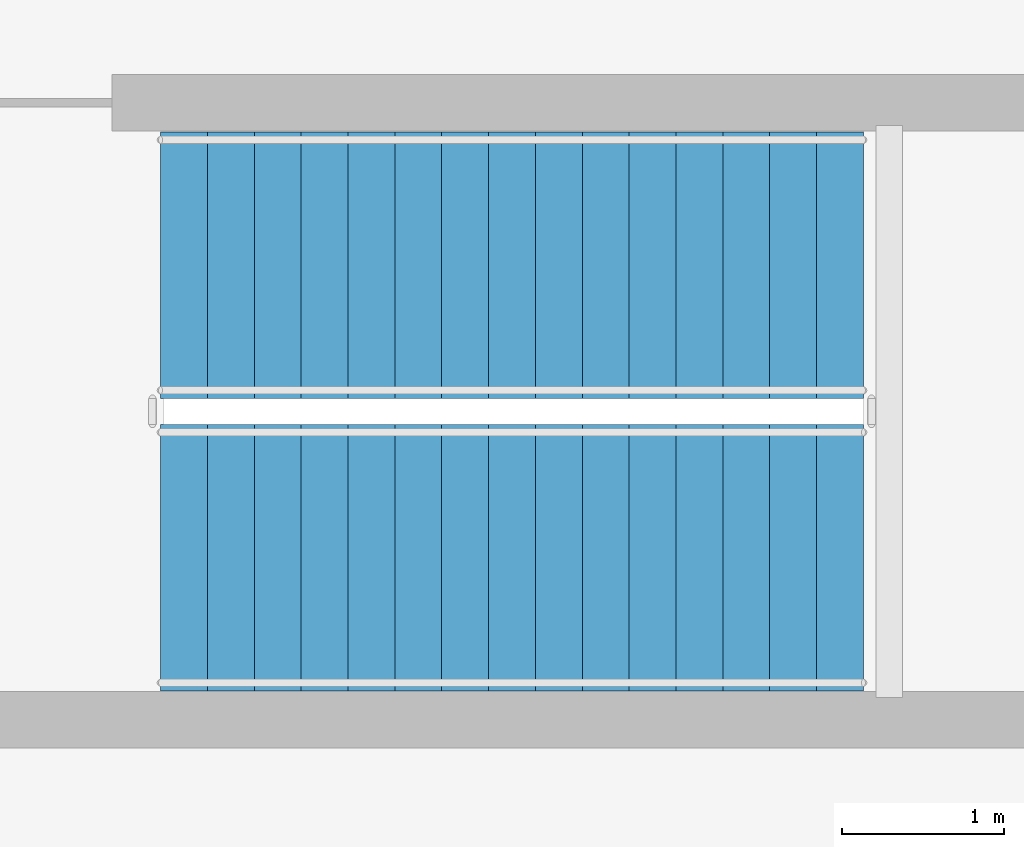
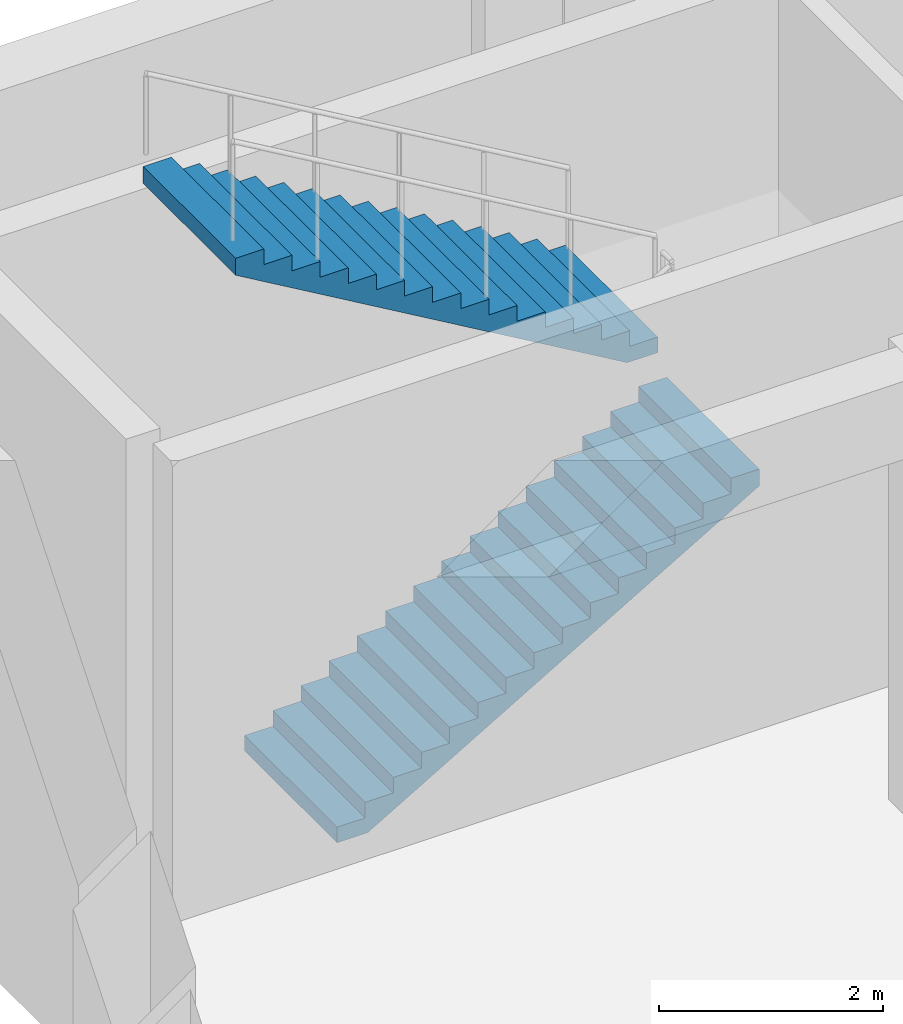
# One storey, part 10 of 16: 2 stair flights, 1 element without a shape of its own.
"""IFC4 building model written with IfcOpenShell, lengths in metres."""

import ifcopenshell
import ifcopenshell.guid

model = None  # the IFC model being written
_history = None  # IfcOwnerHistory: only IFC2X3 demands one
_inside = {}  # id of a spatial element -> (the spatial element, [elements in it])
_under = {}  # id of a project, library or spatial element -> (it, [spatial elements below it])
_declared = {}  # id of a project -> (the project, [libraries it declares])
_typed = {}  # id of a type object -> (the type object, [elements of that type])
_made_of = {}  # id of a material, layer set ... -> (it, [elements and type objects made of it])


def new_model(schema):
    """Start an empty IFC model of exactly this schema.

    Asked for "IFC4X3", IfcOpenShell would pick the latest addendum, in which some entities
    have other attributes; the version numbers below select the first issue.
    IFC2X3 requires an IfcOwnerHistory on every rooted entity: one is made here for all.
    """
    global model, _history
    if schema == "IFC4X3":
        model = ifcopenshell.file(schema_version=(4, 3, 0, 0))
    else:
        model = ifcopenshell.file(schema=schema)
    _inside.clear()
    _under.clear()
    _declared.clear()
    _typed.clear()
    _made_of.clear()
    _history = None
    if model.schema == "IFC2X3":
        org = make("IfcOrganization", Name="unknown")
        user = make(
            "IfcPersonAndOrganization",
            ThePerson=make("IfcPerson", FamilyName="unknown"),
            TheOrganization=org,
        )
        app = make(
            "IfcApplication",
            ApplicationDeveloper=org,
            Version="unknown",
            ApplicationFullName="unknown",
            ApplicationIdentifier="unknown",
        )
        _history = make(
            "IfcOwnerHistory",
            OwningUser=user,
            OwningApplication=app,
            ChangeAction="ADDED",
            CreationDate=0,
        )
    return model


def make(cls, **values):
    """One entity of the class cls with the attributes given. An attribute that is None is left unset."""
    return model.create_entity(
        cls, **{name: value for name, value in values.items() if value is not None}
    )


def rooted(cls, **values):
    """An entity with a GlobalId (a new one), such as an element, a storey or a relation."""
    return make(cls, GlobalId=ifcopenshell.guid.new(), OwnerHistory=_history, **values)


def si_unit(unit_type, name, prefix=None):
    """IfcSIUnit, for example si_unit("LENGTHUNIT", "METRE", prefix="MILLI")."""
    return make("IfcSIUnit", UnitType=unit_type, Prefix=prefix, Name=name)


def assignment(units):
    """IfcUnitAssignment: the units of a project."""
    return None if units is None else make("IfcUnitAssignment", Units=units)


def point(xyz):
    """IfcCartesianPoint."""
    return None if xyz is None else make("IfcCartesianPoint", Coordinates=xyz)


def direction(xyz):
    """IfcDirection."""
    return None if xyz is None else make("IfcDirection", DirectionRatios=xyz)


def frame(location, z_axis=None, x_axis=None):
    """IfcAxis2Placement3D, a coordinate frame: its origin and axes. An axis left out is left unset."""
    return make(
        "IfcAxis2Placement3D",
        Location=point(location),
        Axis=direction(z_axis),
        RefDirection=direction(x_axis),
    )


def origin():
    """The frame at (0, 0, 0) with its axes left unset."""
    return frame((0.0, 0.0, 0.0))


def place(relative_to, where):
    """IfcLocalPlacement: puts the frame where relative to a parent placement (None: the world)."""
    return make(
        "IfcLocalPlacement", PlacementRelTo=relative_to, RelativePlacement=where
    )


def context(
    kind, dimensions, precision=None, world=None, true_north=None, identifier=None
):
    """IfcGeometricRepresentationContext, for example the 3D "Model" context."""
    return make(
        "IfcGeometricRepresentationContext",
        ContextIdentifier=identifier,
        ContextType=kind,
        CoordinateSpaceDimension=dimensions,
        Precision=precision,
        WorldCoordinateSystem=world,
        TrueNorth=true_north,
    )


def subcontext(parent, identifier, kind, view, scale=None):
    """IfcGeometricRepresentationSubContext, for example "Body" below "Model"."""
    return make(
        "IfcGeometricRepresentationSubContext",
        ContextIdentifier=identifier,
        ContextType=kind,
        ParentContext=parent,
        TargetScale=scale,
        TargetView=view,
    )


def project(units=None, contexts=None):
    """IfcProject with its units and contexts."""
    return rooted(
        "IfcProject",
        Name="project",
        RepresentationContexts=contexts,
        UnitsInContext=assignment(units),
    )


def spatial(cls, under=None, at=None, **own):
    """A site, building, storey or space (cls), placed at a placement, below another one or the project."""
    s = rooted(cls, ObjectPlacement=at, **own)
    if under is not None:
        _under.setdefault(under.id(), (under, []))[1].append(s)
    return s


def polyline(points):
    """IfcPolyline through the points."""
    return make("IfcPolyline", Points=[point(p) for p in points])


def outline(outer, holes=None, kind="AREA"):
    """IfcArbitraryClosedProfileDef: a profile drawn as a closed curve; with holes, ...WithVoids."""
    if holes is None:
        return make("IfcArbitraryClosedProfileDef", ProfileType=kind, OuterCurve=outer)
    return make(
        "IfcArbitraryProfileDefWithVoids",
        ProfileType=kind,
        OuterCurve=outer,
        InnerCurves=holes,
    )


def extrude(swept, where, along, depth):
    """IfcExtrudedAreaSolid: the profile swept, set in the frame where, extruded along a direction by depth."""
    return make(
        "IfcExtrudedAreaSolid",
        SweptArea=swept,
        Position=where,
        ExtrudedDirection=direction(along),
        Depth=depth,
    )


def shape(context_of_items, identifier, shape_type, items):
    """IfcShapeRepresentation: the items that make up one representation, for example the "Body"."""
    return make(
        "IfcShapeRepresentation",
        ContextOfItems=context_of_items,
        RepresentationIdentifier=identifier,
        RepresentationType=shape_type,
        Items=items,
    )


def material(Name=None, Category=None):
    """IfcMaterial."""
    return make("IfcMaterial", Name=Name, Category=Category)


def made_of(thing, what):
    """Note that an element or type object is made of a material, layer set ...; save() writes the relation."""
    if what is not None:
        _made_of.setdefault(what.id(), (what, []))[1].append(thing)
    return thing


def type_object(cls, material=None, **own):
    """A type object (cls), such as IfcWallType, which elements share."""
    return made_of(rooted(cls, **own), material)


def element(
    cls,
    number,
    at=None,
    inside=None,
    cuts=None,
    type_object=None,
    material=None,
    context=None,
    identifier="Body",
    shape_type=None,
    held_by="IfcProductDefinitionShape",
    body=None,
    shapes=None,
    **own,
):
    """One element of the class cls, such as IfcWall. Its Tag is "e" and its number.

    at: its placement. inside: the storey or other place that contains it. cuts: it is an
    opening in that element (IfcRelVoidsElement). A single representation is given by context,
    identifier, shape_type and body (its items); several are given by shapes. held_by: the class
    of the entity that holds the representations. save() writes the other relations.
    """
    e = rooted(cls, Tag="e%d" % number, ObjectPlacement=at, **own)
    if body is not None:
        shapes = [shape(context, identifier, shape_type, body)]
    if shapes is not None:
        e.Representation = make(held_by, Representations=shapes)
    if inside is not None:
        _inside.setdefault(inside.id(), (inside, []))[1].append(e)
    if cuts is not None:
        rooted(
            "IfcRelVoidsElement", RelatingBuildingElement=cuts, RelatedOpeningElement=e
        )
    if type_object is not None:
        _typed.setdefault(type_object.id(), (type_object, []))[1].append(e)
    return made_of(e, material)


def aggregate(whole, parts):
    """IfcRelAggregates: a whole, such as a stair, and the parts it consists of."""
    return rooted("IfcRelAggregates", RelatingObject=whole, RelatedObjects=parts)


def save(model, path):
    """Write the relations noted so far, then the file.

    IfcRelAggregates (storeys below a building ...), IfcRelContainedInSpatialStructure (elements
    in a storey), IfcRelDefinesByType, IfcRelAssociatesMaterial and IfcRelDeclares: one each for
    every whole, place, type object, material and project.
    """
    for whole, parts in _under.values():
        aggregate(whole, parts)
    for where, things in _inside.values():
        rooted(
            "IfcRelContainedInSpatialStructure",
            RelatedElements=things,
            RelatingStructure=where,
        )
    for kind, things in _typed.values():
        rooted("IfcRelDefinesByType", RelatedObjects=things, RelatingType=kind)
    for what, things in _made_of.values():
        rooted("IfcRelAssociatesMaterial", RelatedObjects=things, RelatingMaterial=what)
    for by, libraries in _declared.values():
        rooted("IfcRelDeclares", RelatingContext=by, RelatedDefinitions=libraries)
    model.write(path)


model = new_model("IFC4")

# Units and contexts
model_context = context("Model", 3, precision=1e-05, world=origin(), true_north=direction((0.0, 1.0)))
body_context = subcontext(model_context, "Body", "Model", "MODEL_VIEW")
ifc_project = project(units=[si_unit("LENGTHUNIT", "METRE"), si_unit("AREAUNIT", "SQUARE_METRE"), si_unit("VOLUMEUNIT", "CUBIC_METRE"), si_unit("PLANEANGLEUNIT", "RADIAN"), si_unit("MASSUNIT", "GRAM", prefix="KILO")], contexts=[model_context])

# Site, building, storey
site_placement = place(None, origin())
site = spatial("IfcSite", under=ifc_project, at=site_placement, CompositionType="ELEMENT")
building_placement = place(site_placement, origin())
building = spatial("IfcBuilding", under=site, at=building_placement, Name="Kranzveld Transit Interchange", CompositionType="ELEMENT")
storey_placement = place(building_placement, frame((0.0, 0.0, -5.43994140625)))
storey = spatial("IfcBuildingStorey", under=building, at=storey_placement, Name="B1", CompositionType="ELEMENT", Elevation=-5.43994140625)

# Stair, stair flights
ifc_material_1 = material(Name="Concrete C35/45", Category="concrete")
stair_type = type_object("IfcStairType", Name="Dogleg Stair 1650W H5440 C35/45", PredefinedType="HALF_TURN_STAIR", material=ifc_material_1)
stair_placement = place(storey_placement, origin())
stair = element("IfcStair", 1, at=stair_placement, inside=storey, type_object=stair_type, Name="B1 Community Core C3", PredefinedType="HALF_TURN_STAIR")
ifc_material_2 = material(Name="Concrete C35/45", Category="concrete")
stair_flight_type = type_object("IfcStairFlightType", Name="Stair Flight 1650W H5440 C35/45", PredefinedType="STRAIGHT", material=ifc_material_2)
stair_flight_1_placement = place(storey_placement, frame((104.199951171875, 75.094970703125, 0.0), z_axis=(0.0, 0.0, 1.0), x_axis=(1.0, 0.0, 0.0)))
stair_flight_1 = element("IfcStairFlight", 2, at=stair_flight_1_placement, type_object=stair_flight_type, Name="ST-V4A flight 1", NumberOfRisers=16, NumberOfTreads=15, PredefinedType="STRAIGHT", RiserHeight=0.17, TreadLength=0.29, context=body_context, shape_type="SweptSolid", body=[
    extrude(outline(polyline([(0.0, 0.0), (0.0, 0.169921875), (0.2900390625, 0.169921875), (0.2900390625, 0.340087890625), (0.580078125, 0.340087890625), (0.580078125, 0.510009765625), (0.8701171875, 0.510009765625), (0.8701171875, 0.679931640625), (1.159912109375, 0.679931640625), (1.159912109375, 0.85009765625), (1.449951171875, 0.85009765625), (1.449951171875, 1.02001953125), (1.739990234375, 1.02001953125), (1.739990234375, 1.18994140625), (2.030029296875, 1.18994140625), (2.030029296875, 1.360107421875), (2.320068359375, 1.360107421875), (2.320068359375, 1.530029296875), (2.610107421875, 1.530029296875), (2.610107421875, 1.699951171875), (2.89990234375, 1.699951171875), (2.89990234375, 1.8701171875), (3.18994140625, 1.8701171875), (3.18994140625, 2.0400390625), (3.47998046875, 2.0400390625), (3.47998046875, 2.2099609375), (3.77001953125, 2.2099609375), (3.77001953125, 2.3798828125), (4.06005859375, 2.3798828125), (4.06005859375, 2.550048828125), (4.35009765625, 2.550048828125), (4.35009765625, 2.719970703125), (4.35009765625, 2.36474609375), (0.316162109375, 0.0), (0.0, 0.0)])), frame((0.0, 0.824951171875, 0.0), z_axis=(0.0, -1.0, 0.0), x_axis=(1.0, 0.0, 0.0)), (0.0, 0.0, 1.0), 1.64990234375),
])
stair_flight_2_placement = place(storey_placement, frame((108.550048828125, 76.905029296875, 2.719970703125), z_axis=(0.0, 0.0, 1.0), x_axis=(-1.0, 0.0, 0.0)))
stair_flight_2 = element("IfcStairFlight", 3, at=stair_flight_2_placement, type_object=stair_flight_type, Name="ST-V4A flight 2", NumberOfRisers=16, NumberOfTreads=15, PredefinedType="STRAIGHT", RiserHeight=0.17, TreadLength=0.29, context=body_context, shape_type="SweptSolid", body=[
    extrude(outline(polyline([(0.0, 0.0), (0.0, 0.169921875), (0.2900390625, 0.169921875), (0.2900390625, 0.340087890625), (0.580078125, 0.340087890625), (0.580078125, 0.510009765625), (0.8701171875, 0.510009765625), (0.8701171875, 0.679931640625), (1.159912109375, 0.679931640625), (1.159912109375, 0.85009765625), (1.449951171875, 0.85009765625), (1.449951171875, 1.02001953125), (1.739990234375, 1.02001953125), (1.739990234375, 1.18994140625), (2.030029296875, 1.18994140625), (2.030029296875, 1.360107421875), (2.320068359375, 1.360107421875), (2.320068359375, 1.530029296875), (2.610107421875, 1.530029296875), (2.610107421875, 1.699951171875), (2.89990234375, 1.699951171875), (2.89990234375, 1.8701171875), (3.18994140625, 1.8701171875), (3.18994140625, 2.0400390625), (3.47998046875, 2.0400390625), (3.47998046875, 2.2099609375), (3.77001953125, 2.2099609375), (3.77001953125, 2.3798828125), (4.06005859375, 2.3798828125), (4.06005859375, 2.550048828125), (4.35009765625, 2.550048828125), (4.35009765625, 2.719970703125), (4.35009765625, 2.36474609375), (0.316162109375, 0.0), (0.0, 0.0)])), frame((0.0, 0.824951171875, 0.0), z_axis=(0.0, -1.0, 0.0), x_axis=(1.0, 0.0, 0.0)), (0.0, 0.0, 1.0), 1.64990234375),
])
aggregate(stair, [stair_flight_1, stair_flight_2])

save(model, "model.ifc")
